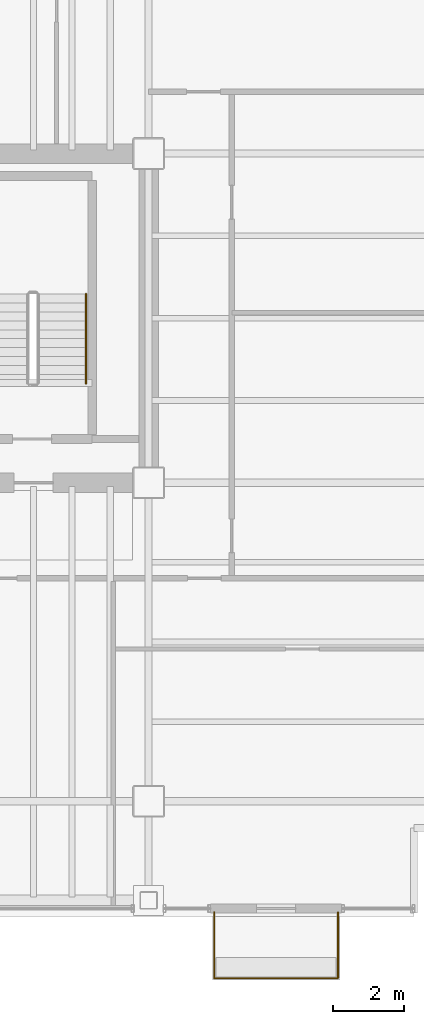
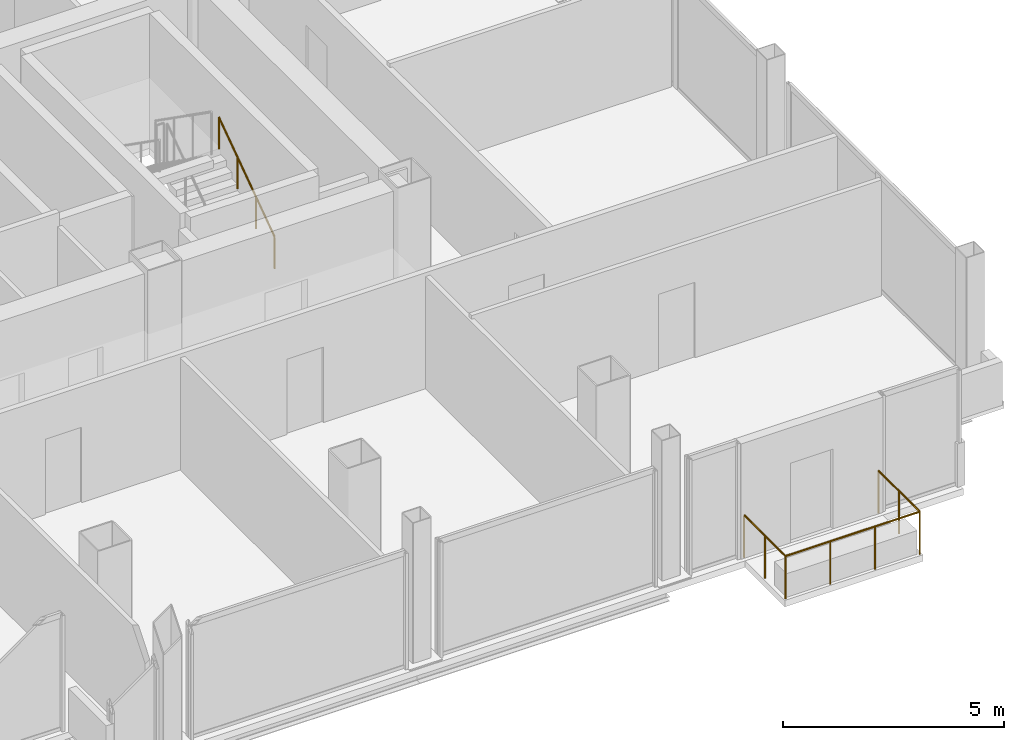
# One storey, part 16 of 16: 2 railings.
"""IFC4 building model written with IfcOpenShell, lengths in metres."""

from ifc_helpers import new_model, si_unit, direction, frame, origin, origin_2d, place, context, subcontext, project, spatial, circle, extrude, material, layer, layer_set, type_object, element, save


model = new_model("IFC4")

# Units and contexts
model_context = context("Model", 3, precision=1e-05, world=origin(), true_north=direction((0.0, 1.0)))
body_context = subcontext(model_context, "Body", "Model", "MODEL_VIEW")
ifc_project = project(units=[si_unit("LENGTHUNIT", "METRE"), si_unit("AREAUNIT", "SQUARE_METRE"), si_unit("VOLUMEUNIT", "CUBIC_METRE"), si_unit("PLANEANGLEUNIT", "RADIAN"), si_unit("MASSUNIT", "GRAM", prefix="KILO")], contexts=[model_context])

# Site, building, storey
site_placement = place(None, origin())
site = spatial("IfcSite", under=ifc_project, at=site_placement, CompositionType="ELEMENT")
building_placement = place(site_placement, origin())
building = spatial("IfcBuilding", under=site, at=building_placement, Name="Noeulbin Bourse Tower", CompositionType="ELEMENT")
storey_placement = place(building_placement, frame((0.0, 0.0, 177.300048828125)))
storey = spatial("IfcBuildingStorey", under=building, at=storey_placement, Name="L44", CompositionType="ELEMENT", Elevation=177.300048828125)

# Railings
ifc_material_1 = material(Name="Laminated SentryGlas and Stainless Steel 316", Category="steel")
ifc_layer_1 = layer(ifc_material_1, 0.06005859375)
ifc_layer_set_1 = layer_set([ifc_layer_1], Name="Laminated SentryGlas and Stainless Steel 316")
railing_type_1 = type_object("IfcRailingType", Name="RLG-BAL-1200", PredefinedType="BALUSTRADE", material=ifc_layer_set_1)
railing_1_placement = place(storey_placement, frame((45.85009765625, 16.8701171875, 0.0)))
element("IfcRailing", 1, at=railing_1_placement, inside=storey, type_object=railing_type_1, Name="Tree-Balcony Glazed Balustrade L44", PredefinedType="BALUSTRADE", context=body_context, shape_type="SweptSolid", body=[
    extrude(circle(Radius=0.02392578125, at=origin_2d()), frame((0.0, 0.0, 1.17578125), z_axis=(0.0, -1.0, 0.0), x_axis=(1.0, 0.0, 0.0)), (0.0, 0.0, 1.0), 1.8701171875),
    extrude(circle(Radius=0.02392578125, at=origin_2d()), frame((0.0, -1.8701171875, 1.17578125), z_axis=(1.0, 0.0, 0.0), x_axis=(0.0, 1.0, 0.0)), (0.0, 0.0, 1.0), 3.5),
    extrude(circle(Radius=0.02392578125, at=origin_2d()), frame((3.5, -1.8701171875, 1.17578125), z_axis=(0.0, 1.0, 0.0), x_axis=(-1.0, 0.0, 0.0)), (0.0, 0.0, 1.0), 1.8701171875),
    extrude(circle(Radius=0.02099609375, at=origin_2d()), origin(), (0.0, 0.0, 1.0), 1.15185546875),
    extrude(circle(Radius=0.02099609375, at=origin_2d()), frame((0.0, -0.93505859375, 0.0)), (0.0, 0.0, 1.0), 1.15185546875),
    extrude(circle(Radius=0.02099609375, at=origin_2d()), frame((0.0, -1.8701171875, 0.0)), (0.0, 0.0, 1.0), 1.15185546875),
    extrude(circle(Radius=0.02099609375, at=origin_2d()), frame((1.166748046875, -1.8701171875, 0.0)), (0.0, 0.0, 1.0), 1.15185546875),
    extrude(circle(Radius=0.02099609375, at=origin_2d()), frame((2.333251953125, -1.8701171875, 0.0)), (0.0, 0.0, 1.0), 1.15185546875),
    extrude(circle(Radius=0.02099609375, at=origin_2d()), frame((3.5, -1.8701171875, 0.0)), (0.0, 0.0, 1.0), 1.15185546875),
    extrude(circle(Radius=0.02099609375, at=origin_2d()), frame((3.5, -0.93505859375, 0.0)), (0.0, 0.0, 1.0), 1.15185546875),
    extrude(circle(Radius=0.02099609375, at=origin_2d()), frame((3.5, 0.0, 0.0)), (0.0, 0.0, 1.0), 1.15185546875),
])
ifc_material_2 = material(Name="Brushed Stainless Steel 316", Category="steel")
ifc_layer_2 = layer(ifc_material_2, 0.048095703125)
ifc_layer_set_2 = layer_set([ifc_layer_2], Name="Brushed Stainless Steel 316")
railing_type_2 = type_object("IfcRailingType", Name="RLG-STR-HND", PredefinedType="HANDRAIL", material=ifc_layer_set_2)
railing_2_placement = place(storey_placement, frame((42.22998046875, 31.81005859375, 0.17724609375)))
element("IfcRailing", 2, at=railing_2_placement, inside=storey, type_object=railing_type_2, Name="L44 ST-2 stair handrail 1", PredefinedType="HANDRAIL", context=body_context, shape_type="SweptSolid", body=[
    extrude(circle(Radius=0.02392578125, at=origin_2d()), frame((0.0, 0.0, 0.8759765625), z_axis=(0.0, 0.817904474719, 0.575354039036), x_axis=(-1.0, 0.0, 0.0)), (0.0, 0.0, 1.0), 3.0810546875),
    extrude(circle(Radius=0.02099609375, at=origin_2d()), origin(), (0.0, 0.0, 1.0), 0.851806640625),
    extrude(circle(Radius=0.02099609375, at=origin_2d()), frame((0.0, 0.840087890625, 0.5908203125)), (0.0, 0.0, 1.0), 0.851806640625),
    extrude(circle(Radius=0.02099609375, at=origin_2d()), frame((0.0, 1.679931640625, 1.181884765625)), (0.0, 0.0, 1.0), 0.851806640625),
    extrude(circle(Radius=0.02099609375, at=origin_2d()), frame((0.0, 2.52001953125, 1.772705078125)), (0.0, 0.0, 1.0), 0.851806640625),
])

save(model, "model.ifc")
